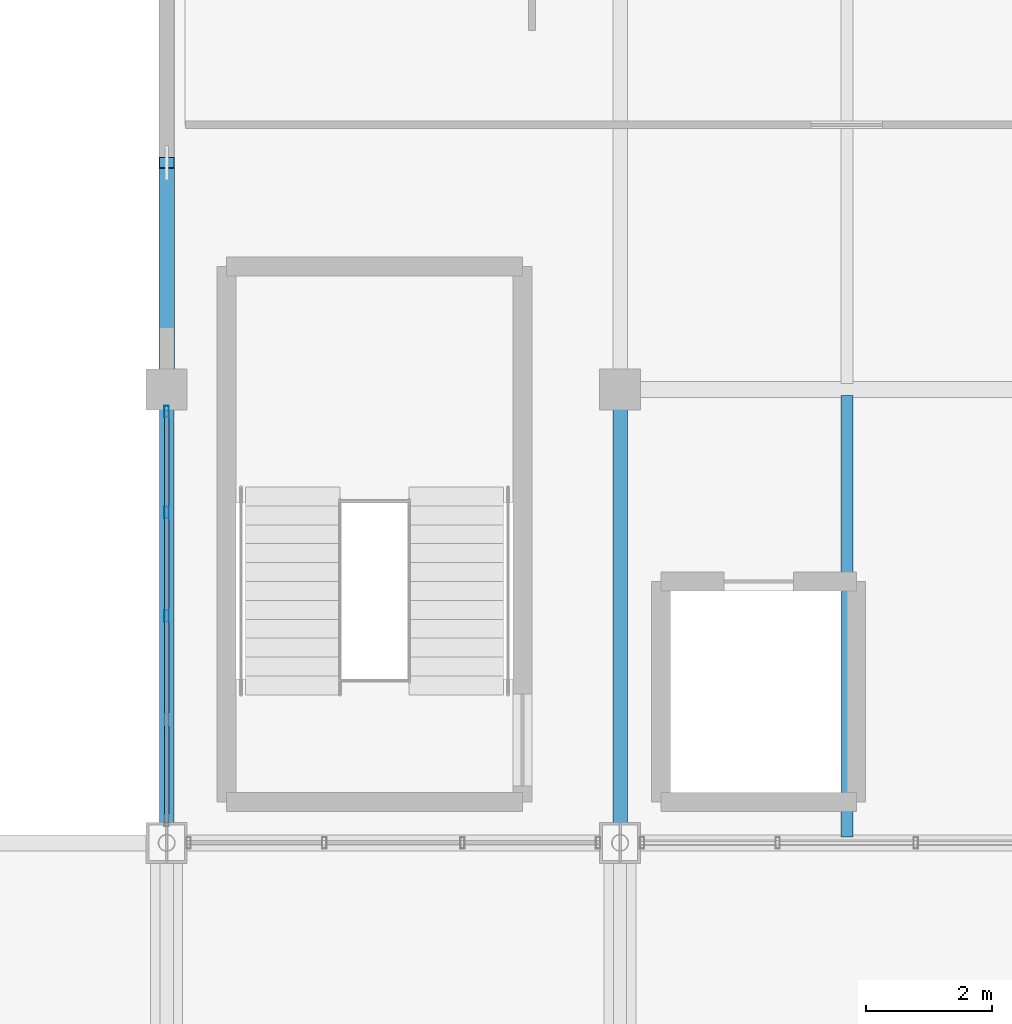
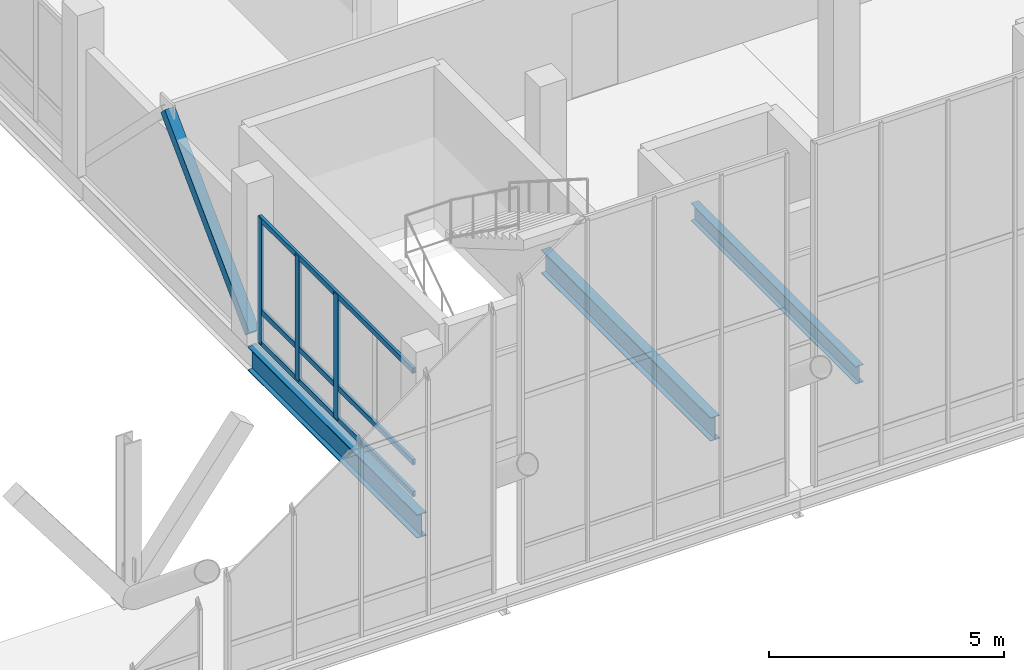
# One storey, part 47 of 102: 7 members, 3 beams, 1 element without a shape of its own.
"""IFC4 building model written with IfcOpenShell, lengths in metres."""

import ifcopenshell
import ifcopenshell.guid

model = None  # the IFC model being written
_history = None  # IfcOwnerHistory: only IFC2X3 demands one
_inside = {}  # id of a spatial element -> (the spatial element, [elements in it])
_under = {}  # id of a project, library or spatial element -> (it, [spatial elements below it])
_declared = {}  # id of a project -> (the project, [libraries it declares])
_typed = {}  # id of a type object -> (the type object, [elements of that type])
_made_of = {}  # id of a material, layer set ... -> (it, [elements and type objects made of it])


def new_model(schema):
    """Start an empty IFC model of exactly this schema.

    Asked for "IFC4X3", IfcOpenShell would pick the latest addendum, in which some entities
    have other attributes; the version numbers below select the first issue.
    IFC2X3 requires an IfcOwnerHistory on every rooted entity: one is made here for all.
    """
    global model, _history
    if schema == "IFC4X3":
        model = ifcopenshell.file(schema_version=(4, 3, 0, 0))
    else:
        model = ifcopenshell.file(schema=schema)
    _inside.clear()
    _under.clear()
    _declared.clear()
    _typed.clear()
    _made_of.clear()
    _history = None
    if model.schema == "IFC2X3":
        org = make("IfcOrganization", Name="unknown")
        user = make(
            "IfcPersonAndOrganization",
            ThePerson=make("IfcPerson", FamilyName="unknown"),
            TheOrganization=org,
        )
        app = make(
            "IfcApplication",
            ApplicationDeveloper=org,
            Version="unknown",
            ApplicationFullName="unknown",
            ApplicationIdentifier="unknown",
        )
        _history = make(
            "IfcOwnerHistory",
            OwningUser=user,
            OwningApplication=app,
            ChangeAction="ADDED",
            CreationDate=0,
        )
    return model


def make(cls, **values):
    """One entity of the class cls with the attributes given. An attribute that is None is left unset."""
    return model.create_entity(
        cls, **{name: value for name, value in values.items() if value is not None}
    )


def rooted(cls, **values):
    """An entity with a GlobalId (a new one), such as an element, a storey or a relation."""
    return make(cls, GlobalId=ifcopenshell.guid.new(), OwnerHistory=_history, **values)


def si_unit(unit_type, name, prefix=None):
    """IfcSIUnit, for example si_unit("LENGTHUNIT", "METRE", prefix="MILLI")."""
    return make("IfcSIUnit", UnitType=unit_type, Prefix=prefix, Name=name)


def assignment(units):
    """IfcUnitAssignment: the units of a project."""
    return None if units is None else make("IfcUnitAssignment", Units=units)


def point(xyz):
    """IfcCartesianPoint."""
    return None if xyz is None else make("IfcCartesianPoint", Coordinates=xyz)


def direction(xyz):
    """IfcDirection."""
    return None if xyz is None else make("IfcDirection", DirectionRatios=xyz)


def frame(location, z_axis=None, x_axis=None):
    """IfcAxis2Placement3D, a coordinate frame: its origin and axes. An axis left out is left unset."""
    return make(
        "IfcAxis2Placement3D",
        Location=point(location),
        Axis=direction(z_axis),
        RefDirection=direction(x_axis),
    )


def frame_2d(location, x_axis=None):
    """IfcAxis2Placement2D, a coordinate frame in the plane: its origin and x axis."""
    return make(
        "IfcAxis2Placement2D", Location=point(location), RefDirection=direction(x_axis)
    )


def origin():
    """The frame at (0, 0, 0) with its axes left unset."""
    return frame((0.0, 0.0, 0.0))


def origin_2d():
    """The frame at (0, 0) in the plane with its x axis left unset."""
    return frame_2d((0.0, 0.0))


def place(relative_to, where):
    """IfcLocalPlacement: puts the frame where relative to a parent placement (None: the world)."""
    return make(
        "IfcLocalPlacement", PlacementRelTo=relative_to, RelativePlacement=where
    )


def context(
    kind, dimensions, precision=None, world=None, true_north=None, identifier=None
):
    """IfcGeometricRepresentationContext, for example the 3D "Model" context."""
    return make(
        "IfcGeometricRepresentationContext",
        ContextIdentifier=identifier,
        ContextType=kind,
        CoordinateSpaceDimension=dimensions,
        Precision=precision,
        WorldCoordinateSystem=world,
        TrueNorth=true_north,
    )


def subcontext(parent, identifier, kind, view, scale=None):
    """IfcGeometricRepresentationSubContext, for example "Body" below "Model"."""
    return make(
        "IfcGeometricRepresentationSubContext",
        ContextIdentifier=identifier,
        ContextType=kind,
        ParentContext=parent,
        TargetScale=scale,
        TargetView=view,
    )


def project(units=None, contexts=None):
    """IfcProject with its units and contexts."""
    return rooted(
        "IfcProject",
        Name="project",
        RepresentationContexts=contexts,
        UnitsInContext=assignment(units),
    )


def spatial(cls, under=None, at=None, **own):
    """A site, building, storey or space (cls), placed at a placement, below another one or the project."""
    s = rooted(cls, ObjectPlacement=at, **own)
    if under is not None:
        _under.setdefault(under.id(), (under, []))[1].append(s)
    return s


def profile(cls, at=None, kind="AREA", **sizes):
    """A parametric profile (cls). Its sizes go by their IFC names, for example OverallWidth=200.0."""
    return make(cls, ProfileType=kind, Position=at, **sizes)


def hollow_rectangle(**sizes):
    """IfcRectangleHollowProfileDef."""
    return profile("IfcRectangleHollowProfileDef", **sizes)


def i_section(**sizes):
    """IfcIShapeProfileDef."""
    return profile("IfcIShapeProfileDef", **sizes)


def extrude(swept, where, along, depth):
    """IfcExtrudedAreaSolid: the profile swept, set in the frame where, extruded along a direction by depth."""
    return make(
        "IfcExtrudedAreaSolid",
        SweptArea=swept,
        Position=where,
        ExtrudedDirection=direction(along),
        Depth=depth,
    )


def shape(context_of_items, identifier, shape_type, items):
    """IfcShapeRepresentation: the items that make up one representation, for example the "Body"."""
    return make(
        "IfcShapeRepresentation",
        ContextOfItems=context_of_items,
        RepresentationIdentifier=identifier,
        RepresentationType=shape_type,
        Items=items,
    )


def material(Name=None, Category=None):
    """IfcMaterial."""
    return make("IfcMaterial", Name=Name, Category=Category)


def material_profile(
    of_material, cross_section, Name=None, Category=None, Priority=None
):
    """IfcMaterialProfile: a cross section and its material."""
    return make(
        "IfcMaterialProfile",
        Name=Name,
        Material=of_material,
        Profile=cross_section,
        Priority=Priority,
        Category=Category,
    )


def profile_set(profiles, Name=None, composite=None):
    """IfcMaterialProfileSet."""
    return make(
        "IfcMaterialProfileSet",
        Name=Name,
        MaterialProfiles=profiles,
        CompositeProfile=composite,
    )


def made_of(thing, what):
    """Note that an element or type object is made of a material, layer set ...; save() writes the relation."""
    if what is not None:
        _made_of.setdefault(what.id(), (what, []))[1].append(thing)
    return thing


def type_object(cls, material=None, **own):
    """A type object (cls), such as IfcWallType, which elements share."""
    return made_of(rooted(cls, **own), material)


def element(
    cls,
    number,
    at=None,
    inside=None,
    cuts=None,
    type_object=None,
    material=None,
    context=None,
    identifier="Body",
    shape_type=None,
    held_by="IfcProductDefinitionShape",
    body=None,
    shapes=None,
    **own,
):
    """One element of the class cls, such as IfcWall. Its Tag is "e" and its number.

    at: its placement. inside: the storey or other place that contains it. cuts: it is an
    opening in that element (IfcRelVoidsElement). A single representation is given by context,
    identifier, shape_type and body (its items); several are given by shapes. held_by: the class
    of the entity that holds the representations. save() writes the other relations.
    """
    e = rooted(cls, Tag="e%d" % number, ObjectPlacement=at, **own)
    if body is not None:
        shapes = [shape(context, identifier, shape_type, body)]
    if shapes is not None:
        e.Representation = make(held_by, Representations=shapes)
    if inside is not None:
        _inside.setdefault(inside.id(), (inside, []))[1].append(e)
    if cuts is not None:
        rooted(
            "IfcRelVoidsElement", RelatingBuildingElement=cuts, RelatedOpeningElement=e
        )
    if type_object is not None:
        _typed.setdefault(type_object.id(), (type_object, []))[1].append(e)
    return made_of(e, material)


def aggregate(whole, parts):
    """IfcRelAggregates: a whole, such as a stair, and the parts it consists of."""
    return rooted("IfcRelAggregates", RelatingObject=whole, RelatedObjects=parts)


def save(model, path):
    """Write the relations noted so far, then the file.

    IfcRelAggregates (storeys below a building ...), IfcRelContainedInSpatialStructure (elements
    in a storey), IfcRelDefinesByType, IfcRelAssociatesMaterial and IfcRelDeclares: one each for
    every whole, place, type object, material and project.
    """
    for whole, parts in _under.values():
        aggregate(whole, parts)
    for where, things in _inside.values():
        rooted(
            "IfcRelContainedInSpatialStructure",
            RelatedElements=things,
            RelatingStructure=where,
        )
    for kind, things in _typed.values():
        rooted("IfcRelDefinesByType", RelatedObjects=things, RelatingType=kind)
    for what, things in _made_of.values():
        rooted("IfcRelAssociatesMaterial", RelatedObjects=things, RelatingMaterial=what)
    for by, libraries in _declared.values():
        rooted("IfcRelDeclares", RelatingContext=by, RelatedDefinitions=libraries)
    model.write(path)


model = new_model("IFC4")

# Units and contexts
model_context = context("Model", 3, precision=1e-05, world=origin(), true_north=direction((0.0, 1.0)))
body_context = subcontext(model_context, "Body", "Model", "MODEL_VIEW")
ifc_project = project(units=[si_unit("LENGTHUNIT", "METRE"), si_unit("AREAUNIT", "SQUARE_METRE"), si_unit("VOLUMEUNIT", "CUBIC_METRE"), si_unit("PLANEANGLEUNIT", "RADIAN"), si_unit("MASSUNIT", "GRAM", prefix="KILO")], contexts=[model_context])

# Site, building, storey
site_placement = place(None, origin())
site = spatial("IfcSite", under=ifc_project, at=site_placement, CompositionType="ELEMENT")
building_placement = place(site_placement, origin())
building = spatial("IfcBuilding", under=site, at=building_placement, Name="Yarey Park Central Fire Station", CompositionType="ELEMENT")
storey_placement = place(building_placement, frame((0.0, 0.0, 6.0)))
storey = spatial("IfcBuildingStorey", under=building, at=storey_placement, Name="L02", CompositionType="ELEMENT", Elevation=6.0)

# Curtain wall, members
ifc_material_1 = material(Name="Anodized Aluminium Frame", Category="aluminium")
curtain_wall_type = type_object("IfcCurtainWallType", Name="ENV_CW_HQ_L02", PredefinedType="NOTDEFINED", material=ifc_material_1)
curtain_wall_placement = place(storey_placement, origin())
curtain_wall = element("IfcCurtainWall", 1, at=curtain_wall_placement, inside=storey, type_object=curtain_wall_type, Name="CW_L02_V4_W_93", PredefinedType="NOTDEFINED")
ifc_material_profile_1 = material_profile(ifc_material_1, hollow_rectangle(XDim=0.070068359375, YDim=0.179931640625, WallThickness=0.00390625, at=origin_2d()), Name="ALU 180x70x4")
ifc_profile_set_1 = profile_set([ifc_material_profile_1], Name="Anodized Aluminium Frame")
member_type_1 = type_object("IfcMemberType", Name="ENV_CW_MULLION", PredefinedType="MULLION", material=ifc_profile_set_1)
member_1_placement = place(storey_placement, frame((115.199951171875, 100.449951171875, 0.0), z_axis=(0.0, 0.0, 1.0), x_axis=(1.0, 0.0, 0.0)))
member_1 = element("IfcMember", 2, at=member_1_placement, type_object=member_type_1, Name="CW_L02_V4_W_93_MUL1", PredefinedType="MULLION", context=body_context, shape_type="SweptSolid", body=[
    extrude(hollow_rectangle(XDim=0.070068359375, YDim=0.179931640625, WallThickness=0.00390625, at=origin_2d()), origin(), (0.0, 0.0, 1.0), 3.25),
])
member_2_placement = place(storey_placement, frame((115.199951171875, 98.844970703125, 0.0), z_axis=(0.0, 0.0, 1.0), x_axis=(1.0, 0.0, 0.0)))
member_2 = element("IfcMember", 3, at=member_2_placement, type_object=member_type_1, Name="CW_L02_V4_W_93_MUL2", PredefinedType="MULLION", context=body_context, shape_type="SweptSolid", body=[
    extrude(hollow_rectangle(XDim=0.070068359375, YDim=0.179931640625, WallThickness=0.00390625, at=origin_2d()), origin(), (0.0, 0.0, 1.0), 3.25),
])
member_3_placement = place(storey_placement, frame((115.199951171875, 97.199951171875, 0.0), z_axis=(0.0, 0.0, 1.0), x_axis=(1.0, 0.0, 0.0)))
member_3 = element("IfcMember", 4, at=member_3_placement, type_object=member_type_1, Name="CW_L02_V4_W_93_MUL3", PredefinedType="MULLION", context=body_context, shape_type="SweptSolid", body=[
    extrude(hollow_rectangle(XDim=0.070068359375, YDim=0.179931640625, WallThickness=0.00390625, at=origin_2d()), origin(), (0.0, 0.0, 1.0), 3.25),
])
ifc_material_profile_2 = material_profile(ifc_material_1, hollow_rectangle(XDim=0.070068359375, YDim=0.139892578125, WallThickness=0.00390625, at=origin_2d()), Name="ALU 140x70x4")
ifc_profile_set_2 = profile_set([ifc_material_profile_2], Name="Anodized Aluminium Frame")
member_type_2 = type_object("IfcMemberType", Name="ENV_CW_TRANSOM", PredefinedType="USERDEFINED", material=ifc_profile_set_2)
member_4_placement = place(storey_placement, frame((115.199951171875, 100.47509765625, 0.02490234375), z_axis=(0.0, -1.0, 0.0), x_axis=(1.0, 0.0, 0.0)))
member_4 = element("IfcMember", 5, at=member_4_placement, type_object=member_type_2, Name="CW_L02_V4_W_93_TRN1", ObjectType="TRANSOM", PredefinedType="USERDEFINED", context=body_context, shape_type="SweptSolid", body=[
    extrude(hollow_rectangle(XDim=0.070068359375, YDim=0.139892578125, WallThickness=0.00390625, at=origin_2d()), origin(), (0.0, 0.0, 1.0), 6.550048828125),
])
member_5_placement = place(storey_placement, frame((115.199951171875, 100.47509765625, 0.85009765625), z_axis=(0.0, -1.0, 0.0), x_axis=(1.0, 0.0, 0.0)))
member_5 = element("IfcMember", 6, at=member_5_placement, type_object=member_type_2, Name="CW_L02_V4_W_93_TRN2", ObjectType="TRANSOM", PredefinedType="USERDEFINED", context=body_context, shape_type="SweptSolid", body=[
    extrude(hollow_rectangle(XDim=0.070068359375, YDim=0.139892578125, WallThickness=0.00390625, at=origin_2d()), origin(), (0.0, 0.0, 1.0), 6.550048828125),
])
member_6_placement = place(storey_placement, frame((115.199951171875, 100.47509765625, 3.22509765625), z_axis=(0.0, -1.0, 0.0), x_axis=(1.0, 0.0, 0.0)))
member_6 = element("IfcMember", 7, at=member_6_placement, type_object=member_type_2, Name="CW_L02_V4_W_93_TRN3", ObjectType="TRANSOM", PredefinedType="USERDEFINED", context=body_context, shape_type="SweptSolid", body=[
    extrude(hollow_rectangle(XDim=0.070068359375, YDim=0.139892578125, WallThickness=0.00390625, at=origin_2d()), origin(), (0.0, 0.0, 1.0), 6.550048828125),
])
aggregate(curtain_wall, [member_1, member_2, member_3, member_4, member_5, member_6])

# Beams
ifc_material_2 = material(Name="Steel ASTM A992 Gr. 50", Category="steel")
ifc_material_profile_3 = material_profile(ifc_material_2, i_section(OverallWidth=0.22900390625, OverallDepth=0.612060546875, WebThickness=0.011962890625, FlangeThickness=0.01953125, at=origin_2d()), Name="W610x125")
ifc_profile_set_3 = profile_set([ifc_material_profile_3], Name="Steel ASTM A992 Gr. 50")
beam_type_1 = type_object("IfcBeamType", Name="STR_BM_W610", PredefinedType="BEAM", material=ifc_profile_set_3)
for number, where, z_axis, x_axis, name in (
    (8, (115.199951171875, 93.60009765625, -0.591064453125), (0.0, 1.0, 0.0), (-1.0, 0.0, 0.0), "BMY L02 X1152 Y936"),
    (9, (122.39990234375, 93.60009765625, -0.591064453125), (0.0, 1.0, 0.0), (-1.0, 0.0, 0.0), "BMY L02 X1224 Y936"),
):
    element("IfcBeam", number, at=place(storey_placement, frame(where, z_axis=z_axis, x_axis=x_axis)), inside=storey, type_object=beam_type_1, Name=name, PredefinedType="BEAM", context=body_context, shape_type="SweptSolid", body=[
        extrude(i_section(OverallWidth=0.22900390625, OverallDepth=0.612060546875, WebThickness=0.011962890625, FlangeThickness=0.01953125, at=origin_2d()), origin(), (0.0, 0.0, 1.0), 7.199951171875),
    ])

# Member
ifc_material_3 = material(Name="Steel ASTM A500 Gr. C", Category="steel")
ifc_material_profile_4 = material_profile(ifc_material_3, hollow_rectangle(XDim=0.25, YDim=0.25, WallThickness=0.012451171875, at=origin_2d()), Name="HSS 250x250x12.5")
ifc_profile_set_4 = profile_set([ifc_material_profile_4], Name="Steel ASTM A500 Gr. C")
member_type_3 = type_object("IfcMemberType", Name="STR_CBF_HSS250", PredefinedType="BRACE", material=ifc_profile_set_4)
member_7_placement = place(storey_placement, frame((115.199951171875, 100.800048828125, 0.050048828125), z_axis=(0.0, 0.707106781187, 0.707106781187), x_axis=(-1.0, 0.0, 0.0)))
element("IfcMember", 10, at=member_7_placement, inside=storey, type_object=member_type_3, Name="CBF_V4_W1_L02", PredefinedType="BRACE", context=body_context, shape_type="SweptSolid", body=[
    extrude(hollow_rectangle(XDim=0.25, YDim=0.25, WallThickness=0.012451171875, at=origin_2d()), origin(), (0.0, 0.0, 1.0), 5.091064453125),
])

# Beam
ifc_material_profile_5 = material_profile(ifc_material_2, i_section(OverallWidth=0.18994140625, OverallDepth=0.45703125, WebThickness=0.009033203125, FlangeThickness=0.014404296875, at=origin_2d()), Name="W460x74")
ifc_profile_set_5 = profile_set([ifc_material_profile_5], Name="Steel ASTM A992 Gr. 50")
beam_type_2 = type_object("IfcBeamType", Name="STR_JST_W460", PredefinedType="JOIST", material=ifc_profile_set_5)
beam_placement = place(storey_placement, frame((126.0, 93.695068359375, -0.513427734375), z_axis=(0.0, 1.0, 0.0), x_axis=(-1.0, 0.0, 0.0)))
element("IfcBeam", 11, at=beam_placement, inside=storey, type_object=beam_type_2, Name="JST L02 X1260 Y936", PredefinedType="JOIST", context=body_context, shape_type="SweptSolid", body=[
    extrude(i_section(OverallWidth=0.18994140625, OverallDepth=0.45703125, WebThickness=0.009033203125, FlangeThickness=0.014404296875, at=origin_2d()), origin(), (0.0, 0.0, 1.0), 7.010009765625),
])

save(model, "model.ifc")
